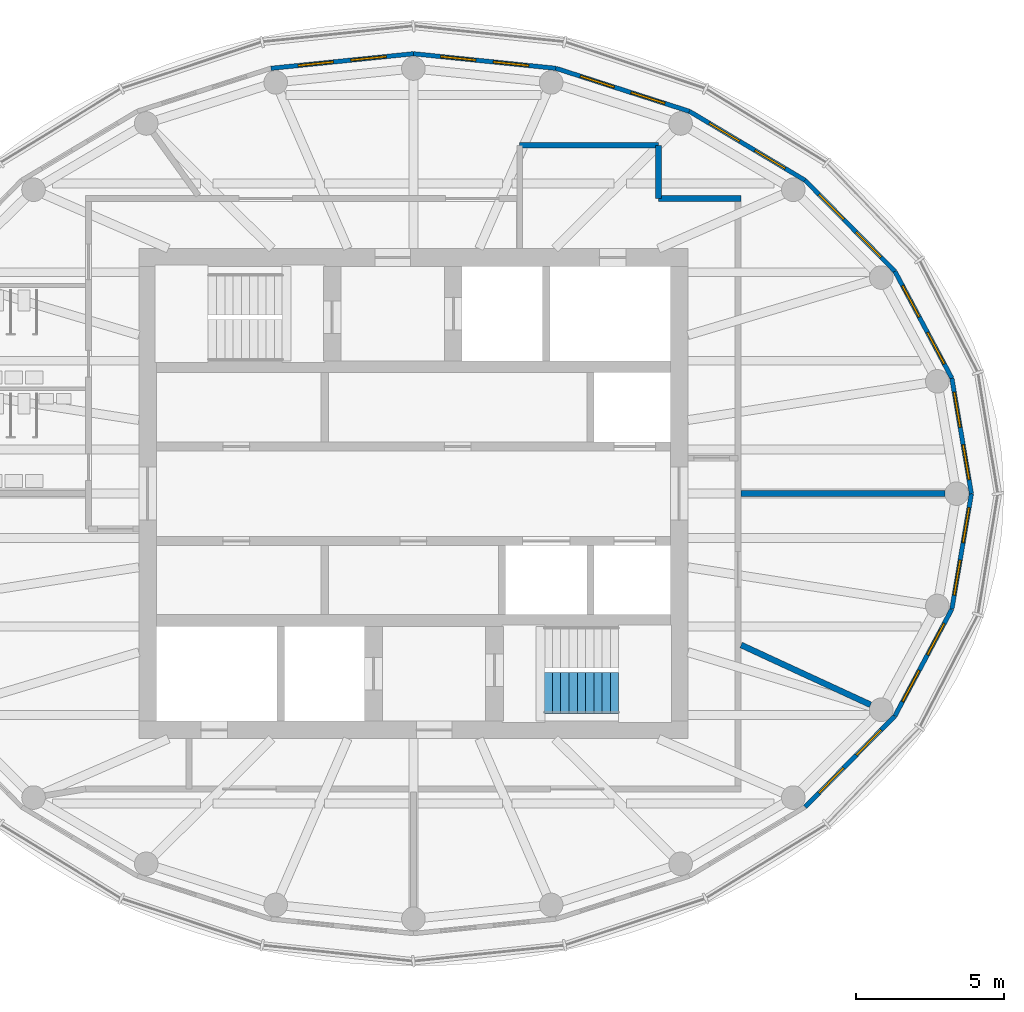
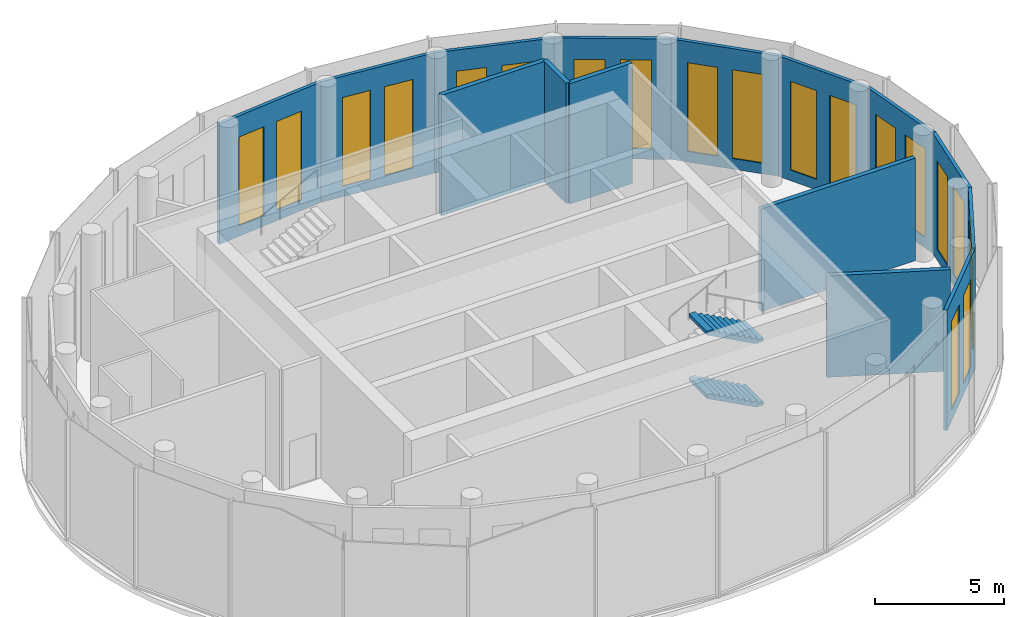
# One storey, part 7 of 11: 20 windows, 15 walls, 2 stair flights, 20 openings, 1 element without a shape of its own.
"""IFC4 building model written with IfcOpenShell, lengths in metres."""

from ifc_helpers import new_model, si_unit, direction, frame, frame_2d, origin, place, context, subcontext, project, spatial, polyline, rectangle, outline, extrude, material, layer, layer_set, type_object, element, fill, aggregate, save


model = new_model("IFC4")

# Units and contexts
model_context = context("Model", 3, precision=1e-05, world=origin(), true_north=direction((0.0, 1.0)))
body_context = subcontext(model_context, "Body", "Model", "MODEL_VIEW")
ifc_project = project(units=[si_unit("LENGTHUNIT", "METRE"), si_unit("AREAUNIT", "SQUARE_METRE"), si_unit("VOLUMEUNIT", "CUBIC_METRE"), si_unit("PLANEANGLEUNIT", "RADIAN"), si_unit("MASSUNIT", "GRAM", prefix="KILO")], contexts=[model_context])

# Site, building, storey
site_placement = place(None, origin())
site = spatial("IfcSite", under=ifc_project, at=site_placement, CompositionType="ELEMENT")
building_placement = place(site_placement, origin())
building = spatial("IfcBuilding", under=site, at=building_placement, Name="Hankou Lantern Tower", CompositionType="ELEMENT")
storey_placement = place(building_placement, frame((0.0, 0.0, 242.699951171875)))
storey = spatial("IfcBuildingStorey", under=building, at=storey_placement, Name="L65", CompositionType="ELEMENT", Elevation=242.699951171875)

# Wall, openings, windows
ifc_material_1 = material(Name="Aluminium spandrel panel on steel studs", Category="steel")
ifc_layer_1 = layer(ifc_material_1, 0.14990234375)
ifc_layer_set_1 = layer_set([ifc_layer_1], Name="Aluminium spandrel panel on steel studs")
wall_type_1 = type_object("IfcWallType", Name="EW1 INNER SKIN WALL 150", PredefinedType="ELEMENTEDWALL", material=ifc_layer_set_1)
wall_1_placement = place(storey_placement, frame((18.89990234375, 0.0, 0.0), z_axis=(0.0, 0.0, 1.0), x_axis=(-0.166984464914, 0.985959526795, 0.0)))
wall_1 = element("IfcWall", 1, at=wall_1_placement, inside=storey, type_object=wall_type_1, Name="Inner skin R01-R02 L65", PredefinedType="ELEMENTEDWALL", context=body_context, shape_type="SweptSolid", body=[
    extrude(rectangle(XDim=3.965087890625, YDim=0.14990234375, at=frame_2d((1.982421875, 0.0))), origin(), (0.0, 0.0, 1.0), 5.699951171875),
])
opening_1_placement = place(wall_1_placement, frame((0.482666015625, 0.0, 0.5)))
opening_1 = element("IfcOpeningElement", 2, at=opening_1_placement, cuts=wall_1, Name="Opening W8", PredefinedType="OPENING", context=body_context, shape_type="SweptSolid", body=[
    extrude(rectangle(XDim=1.199951171875, YDim=4.199951171875, at=frame_2d((0.60009765625, 2.10009765625))), frame((0.0, 0.0849609375, 0.0), z_axis=(0.0, -1.0, 0.0), x_axis=(1.0, 0.0, 0.0)), (0.0, 0.0, 1.0), 0.169921875),
])
opening_2_placement = place(wall_1_placement, frame((2.282470703125, 0.0, 0.5)))
opening_2 = element("IfcOpeningElement", 3, at=opening_2_placement, cuts=wall_1, Name="Opening W8", PredefinedType="OPENING", context=body_context, shape_type="SweptSolid", body=[
    extrude(rectangle(XDim=1.199951171875, YDim=4.199951171875, at=frame_2d((0.60009765625, 2.10009765625))), frame((0.0, 0.0849609375, 0.0), z_axis=(0.0, -1.0, 0.0), x_axis=(1.0, 0.0, 0.0)), (0.0, 0.0, 1.0), 0.169921875),
])
ifc_material_2 = material(Name="Aluminium framed double glazed window", Category="aluminium")
window_type = type_object("IfcWindowType", Name="W8 OBSERVATION WINDOW 1200X4200", PartitioningType="DOUBLE_PANEL_VERTICAL", PredefinedType="WINDOW", material=ifc_material_2)
window_1_placement = place(opening_1_placement, origin())
window_1 = element("IfcWindow", 4, at=window_1_placement, inside=storey, type_object=window_type, Name="Window R01.1 L65", OverallHeight=4.199951171875, OverallWidth=1.199951171875, PartitioningType="SINGLE_PANEL", PredefinedType="WINDOW", context=body_context, shape_type="SweptSolid", body=[
    extrude(rectangle(XDim=1.199951171875, YDim=4.199951171875, at=frame_2d((0.60009765625, 2.10009765625))), frame((0.0, 0.030029296875, 0.0), z_axis=(0.0, -1.0, 0.0), x_axis=(1.0, 0.0, 0.0)), (0.0, 0.0, 1.0), 0.06005859375),
])
fill(opening_1, window_1)
window_2_placement = place(opening_2_placement, origin())
window_2 = element("IfcWindow", 5, at=window_2_placement, inside=storey, type_object=window_type, Name="Window R01.2 L65", OverallHeight=4.199951171875, OverallWidth=1.199951171875, PartitioningType="SINGLE_PANEL", PredefinedType="WINDOW", context=body_context, shape_type="SweptSolid", body=[
    extrude(rectangle(XDim=1.199951171875, YDim=4.199951171875, at=frame_2d((0.60009765625, 2.10009765625))), frame((0.0, 0.030029296875, 0.0), z_axis=(0.0, -1.0, 0.0), x_axis=(1.0, 0.0, 0.0)), (0.0, 0.0, 1.0), 0.06005859375),
])
fill(opening_2, window_2)

wall_2_placement = place(storey_placement, frame((18.23779296875, 3.909423828125, 0.0), z_axis=(0.0, 0.0, 1.0), x_axis=(-0.470282591286, 0.882515883332, 0.0)))
wall_2 = element("IfcWall", 6, at=wall_2_placement, inside=storey, type_object=wall_type_1, Name="Inner skin R02-R03 L65", PredefinedType="ELEMENTEDWALL", context=body_context, shape_type="SweptSolid", body=[
    extrude(rectangle(XDim=4.104736328125, YDim=0.14990234375, at=frame_2d((2.05224609375, 0.0))), origin(), (0.0, 0.0, 1.0), 5.699951171875),
])
opening_3_placement = place(wall_2_placement, frame((0.552490234375, 0.0, 0.5)))
opening_3 = element("IfcOpeningElement", 7, at=opening_3_placement, cuts=wall_2, Name="Opening W8", PredefinedType="OPENING", context=body_context, shape_type="SweptSolid", body=[
    extrude(rectangle(XDim=1.199951171875, YDim=4.199951171875, at=frame_2d((0.60009765625, 2.10009765625))), frame((0.0, 0.0849609375, 0.0), z_axis=(0.0, -1.0, 0.0), x_axis=(1.0, 0.0, 0.0)), (0.0, 0.0, 1.0), 0.169921875),
])
opening_4_placement = place(wall_2_placement, frame((2.3525390625, 0.0, 0.5)))
opening_4 = element("IfcOpeningElement", 8, at=opening_4_placement, cuts=wall_2, Name="Opening W8", PredefinedType="OPENING", context=body_context, shape_type="SweptSolid", body=[
    extrude(rectangle(XDim=1.199951171875, YDim=4.199951171875, at=frame_2d((0.60009765625, 2.10009765625))), frame((0.0, 0.0849609375, 0.0), z_axis=(0.0, -1.0, 0.0), x_axis=(1.0, 0.0, 0.0)), (0.0, 0.0, 1.0), 0.169921875),
])
window_3_placement = place(opening_3_placement, origin())
window_3 = element("IfcWindow", 9, at=window_3_placement, inside=storey, type_object=window_type, Name="Window R02.1 L65", OverallHeight=4.199951171875, OverallWidth=1.199951171875, PartitioningType="SINGLE_PANEL", PredefinedType="WINDOW", context=body_context, shape_type="SweptSolid", body=[
    extrude(rectangle(XDim=1.199951171875, YDim=4.199951171875, at=frame_2d((0.60009765625, 2.10009765625))), frame((0.0, 0.030029296875, 0.0), z_axis=(0.0, -1.0, 0.0), x_axis=(1.0, 0.0, 0.0)), (0.0, 0.0, 1.0), 0.06005859375),
])
fill(opening_3, window_3)
window_4_placement = place(opening_4_placement, origin())
window_4 = element("IfcWindow", 10, at=window_4_placement, inside=storey, type_object=window_type, Name="Window R02.2 L65", OverallHeight=4.199951171875, OverallWidth=1.199951171875, PartitioningType="SINGLE_PANEL", PredefinedType="WINDOW", context=body_context, shape_type="SweptSolid", body=[
    extrude(rectangle(XDim=1.199951171875, YDim=4.199951171875, at=frame_2d((0.60009765625, 2.10009765625))), frame((0.0, 0.030029296875, 0.0), z_axis=(0.0, -1.0, 0.0), x_axis=(1.0, 0.0, 0.0)), (0.0, 0.0, 1.0), 0.06005859375),
])
fill(opening_4, window_4)

wall_3_placement = place(storey_placement, frame((16.307373046875, 7.531982421875, 0.0), z_axis=(0.0, 0.0, 1.0), x_axis=(-0.702523956258, 0.711660095048, 0.0)))
wall_3 = element("IfcWall", 11, at=wall_3_placement, inside=storey, type_object=wall_type_1, Name="Inner skin R03-R04 L65", PredefinedType="ELEMENTEDWALL", context=body_context, shape_type="SweptSolid", body=[
    extrude(rectangle(XDim=4.3291015625, YDim=0.14990234375, at=frame_2d((2.16455078125, 0.0))), origin(), (0.0, 0.0, 1.0), 5.699951171875),
])
opening_5_placement = place(wall_3_placement, frame((0.66455078125, 0.0, 0.5)))
opening_5 = element("IfcOpeningElement", 12, at=opening_5_placement, cuts=wall_3, Name="Opening W8", PredefinedType="OPENING", context=body_context, shape_type="SweptSolid", body=[
    extrude(rectangle(XDim=1.199951171875, YDim=4.199951171875, at=frame_2d((0.60009765625, 2.10009765625))), frame((0.0, 0.0849609375, 0.0), z_axis=(0.0, -1.0, 0.0), x_axis=(1.0, 0.0, 0.0)), (0.0, 0.0, 1.0), 0.169921875),
])
opening_6_placement = place(wall_3_placement, frame((2.464599609375, 0.0, 0.5)))
opening_6 = element("IfcOpeningElement", 13, at=opening_6_placement, cuts=wall_3, Name="Opening W8", PredefinedType="OPENING", context=body_context, shape_type="SweptSolid", body=[
    extrude(rectangle(XDim=1.199951171875, YDim=4.199951171875, at=frame_2d((0.60009765625, 2.10009765625))), frame((0.0, 0.0849609375, 0.0), z_axis=(0.0, -1.0, 0.0), x_axis=(1.0, 0.0, 0.0)), (0.0, 0.0, 1.0), 0.169921875),
])
window_5_placement = place(opening_5_placement, origin())
window_5 = element("IfcWindow", 14, at=window_5_placement, inside=storey, type_object=window_type, Name="Window R03.1 L65", OverallHeight=4.199951171875, OverallWidth=1.199951171875, PartitioningType="SINGLE_PANEL", PredefinedType="WINDOW", context=body_context, shape_type="SweptSolid", body=[
    extrude(rectangle(XDim=1.199951171875, YDim=4.199951171875, at=frame_2d((0.60009765625, 2.10009765625))), frame((0.0, 0.030029296875, 0.0), z_axis=(0.0, -1.0, 0.0), x_axis=(1.0, 0.0, 0.0)), (0.0, 0.0, 1.0), 0.06005859375),
])
fill(opening_5, window_5)
window_6_placement = place(opening_6_placement, origin())
window_6 = element("IfcWindow", 15, at=window_6_placement, inside=storey, type_object=window_type, Name="Window R03.2 L65", OverallHeight=4.199951171875, OverallWidth=1.199951171875, PartitioningType="SINGLE_PANEL", PredefinedType="WINDOW", context=body_context, shape_type="SweptSolid", body=[
    extrude(rectangle(XDim=1.199951171875, YDim=4.199951171875, at=frame_2d((0.60009765625, 2.10009765625))), frame((0.0, 0.030029296875, 0.0), z_axis=(0.0, -1.0, 0.0), x_axis=(1.0, 0.0, 0.0)), (0.0, 0.0, 1.0), 0.06005859375),
])
fill(opening_6, window_6)

wall_4_placement = place(storey_placement, frame((13.26611328125, 10.61279296875, 0.0), z_axis=(0.0, 0.0, 1.0), x_axis=(-0.858849230109, 0.512228464594, 0.0)))
wall_4 = element("IfcWall", 16, at=wall_4_placement, inside=storey, type_object=wall_type_1, Name="Inner skin R04-R05 L65", PredefinedType="ELEMENTEDWALL", context=body_context, shape_type="SweptSolid", body=[
    extrude(rectangle(XDim=4.564208984375, YDim=0.14990234375, at=frame_2d((2.2822265625, 0.0))), origin(), (0.0, 0.0, 1.0), 5.699951171875),
])
opening_7_placement = place(wall_4_placement, frame((0.781982421875, 0.0, 0.5)))
opening_7 = element("IfcOpeningElement", 17, at=opening_7_placement, cuts=wall_4, Name="Opening W8", PredefinedType="OPENING", context=body_context, shape_type="SweptSolid", body=[
    extrude(rectangle(XDim=1.199951171875, YDim=4.199951171875, at=frame_2d((0.60009765625, 2.10009765625))), frame((0.0, 0.0849609375, 0.0), z_axis=(0.0, -1.0, 0.0), x_axis=(1.0, 0.0, 0.0)), (0.0, 0.0, 1.0), 0.169921875),
])
opening_8_placement = place(wall_4_placement, frame((2.58203125, 0.0, 0.5)))
opening_8 = element("IfcOpeningElement", 18, at=opening_8_placement, cuts=wall_4, Name="Opening W8", PredefinedType="OPENING", context=body_context, shape_type="SweptSolid", body=[
    extrude(rectangle(XDim=1.199951171875, YDim=4.199951171875, at=frame_2d((0.60009765625, 2.10009765625))), frame((0.0, 0.0849609375, 0.0), z_axis=(0.0, -1.0, 0.0), x_axis=(1.0, 0.0, 0.0)), (0.0, 0.0, 1.0), 0.169921875),
])
window_7_placement = place(opening_7_placement, origin())
window_7 = element("IfcWindow", 19, at=window_7_placement, inside=storey, type_object=window_type, Name="Window R04.1 L65", OverallHeight=4.199951171875, OverallWidth=1.199951171875, PartitioningType="SINGLE_PANEL", PredefinedType="WINDOW", context=body_context, shape_type="SweptSolid", body=[
    extrude(rectangle(XDim=1.199951171875, YDim=4.199951171875, at=frame_2d((0.60009765625, 2.10009765625))), frame((0.0, 0.030029296875, 0.0), z_axis=(0.0, -1.0, 0.0), x_axis=(1.0, 0.0, 0.0)), (0.0, 0.0, 1.0), 0.06005859375),
])
fill(opening_7, window_7)
window_8_placement = place(opening_8_placement, origin())
window_8 = element("IfcWindow", 20, at=window_8_placement, inside=storey, type_object=window_type, Name="Window R04.2 L65", OverallHeight=4.199951171875, OverallWidth=1.199951171875, PartitioningType="SINGLE_PANEL", PredefinedType="WINDOW", context=body_context, shape_type="SweptSolid", body=[
    extrude(rectangle(XDim=1.199951171875, YDim=4.199951171875, at=frame_2d((0.60009765625, 2.10009765625))), frame((0.0, 0.030029296875, 0.0), z_axis=(0.0, -1.0, 0.0), x_axis=(1.0, 0.0, 0.0)), (0.0, 0.0, 1.0), 0.06005859375),
])
fill(opening_8, window_8)

wall_5_placement = place(storey_placement, frame((9.34619140625, 12.95068359375, 0.0), z_axis=(0.0, 0.0, 1.0), x_axis=(-0.951881908824, 0.306465057804, 0.0)))
wall_5 = element("IfcWall", 21, at=wall_5_placement, inside=storey, type_object=wall_type_1, Name="Inner skin R05-R06 L65", PredefinedType="ELEMENTEDWALL", context=body_context, shape_type="SweptSolid", body=[
    extrude(rectangle(XDim=4.74951171875, YDim=0.14990234375, at=frame_2d((2.374755859375, 0.0))), origin(), (0.0, 0.0, 1.0), 5.699951171875),
])
opening_9_placement = place(wall_5_placement, frame((0.874755859375, 0.0, 0.5)))
opening_9 = element("IfcOpeningElement", 22, at=opening_9_placement, cuts=wall_5, Name="Opening W8", PredefinedType="OPENING", context=body_context, shape_type="SweptSolid", body=[
    extrude(rectangle(XDim=1.199951171875, YDim=4.199951171875, at=frame_2d((0.60009765625, 2.10009765625))), frame((0.0, 0.0849609375, 0.0), z_axis=(0.0, -1.0, 0.0), x_axis=(1.0, 0.0, 0.0)), (0.0, 0.0, 1.0), 0.169921875),
])
opening_10_placement = place(wall_5_placement, frame((2.6748046875, 0.0, 0.5)))
opening_10 = element("IfcOpeningElement", 23, at=opening_10_placement, cuts=wall_5, Name="Opening W8", PredefinedType="OPENING", context=body_context, shape_type="SweptSolid", body=[
    extrude(rectangle(XDim=1.199951171875, YDim=4.199951171875, at=frame_2d((0.60009765625, 2.10009765625))), frame((0.0, 0.0849609375, 0.0), z_axis=(0.0, -1.0, 0.0), x_axis=(1.0, 0.0, 0.0)), (0.0, 0.0, 1.0), 0.169921875),
])
window_9_placement = place(opening_9_placement, origin())
window_9 = element("IfcWindow", 24, at=window_9_placement, inside=storey, type_object=window_type, Name="Window R05.1 L65", OverallHeight=4.199951171875, OverallWidth=1.199951171875, PartitioningType="SINGLE_PANEL", PredefinedType="WINDOW", context=body_context, shape_type="SweptSolid", body=[
    extrude(rectangle(XDim=1.199951171875, YDim=4.199951171875, at=frame_2d((0.60009765625, 2.10009765625))), frame((0.0, 0.030029296875, 0.0), z_axis=(0.0, -1.0, 0.0), x_axis=(1.0, 0.0, 0.0)), (0.0, 0.0, 1.0), 0.06005859375),
])
fill(opening_9, window_9)
window_10_placement = place(opening_10_placement, origin())
window_10 = element("IfcWindow", 25, at=window_10_placement, inside=storey, type_object=window_type, Name="Window R05.2 L65", OverallHeight=4.199951171875, OverallWidth=1.199951171875, PartitioningType="SINGLE_PANEL", PredefinedType="WINDOW", context=body_context, shape_type="SweptSolid", body=[
    extrude(rectangle(XDim=1.199951171875, YDim=4.199951171875, at=frame_2d((0.60009765625, 2.10009765625))), frame((0.0, 0.030029296875, 0.0), z_axis=(0.0, -1.0, 0.0), x_axis=(1.0, 0.0, 0.0)), (0.0, 0.0, 1.0), 0.06005859375),
])
fill(opening_10, window_10)

wall_6_placement = place(storey_placement, frame((4.8251953125, 14.40625, 0.0), z_axis=(0.0, 0.0, 1.0), x_axis=(-0.994807343212, 0.10177597895, 0.0)))
wall_6 = element("IfcWall", 26, at=wall_6_placement, inside=storey, type_object=wall_type_1, Name="Inner skin R06-R07 L65", PredefinedType="ELEMENTEDWALL", context=body_context, shape_type="SweptSolid", body=[
    extrude(rectangle(XDim=4.850341796875, YDim=0.14990234375, at=frame_2d((2.42529296875, 0.0))), origin(), (0.0, 0.0, 1.0), 5.699951171875),
])
opening_11_placement = place(wall_6_placement, frame((0.92529296875, 0.0, 0.5)))
opening_11 = element("IfcOpeningElement", 27, at=opening_11_placement, cuts=wall_6, Name="Opening W8", PredefinedType="OPENING", context=body_context, shape_type="SweptSolid", body=[
    extrude(rectangle(XDim=1.199951171875, YDim=4.199951171875, at=frame_2d((0.60009765625, 2.10009765625))), frame((0.0, 0.0849609375, 0.0), z_axis=(0.0, -1.0, 0.0), x_axis=(1.0, 0.0, 0.0)), (0.0, 0.0, 1.0), 0.169921875),
])
opening_12_placement = place(wall_6_placement, frame((2.72509765625, 0.0, 0.5)))
opening_12 = element("IfcOpeningElement", 28, at=opening_12_placement, cuts=wall_6, Name="Opening W8", PredefinedType="OPENING", context=body_context, shape_type="SweptSolid", body=[
    extrude(rectangle(XDim=1.199951171875, YDim=4.199951171875, at=frame_2d((0.60009765625, 2.10009765625))), frame((0.0, 0.0849609375, 0.0), z_axis=(0.0, -1.0, 0.0), x_axis=(1.0, 0.0, 0.0)), (0.0, 0.0, 1.0), 0.169921875),
])
window_11_placement = place(opening_11_placement, origin())
window_11 = element("IfcWindow", 29, at=window_11_placement, inside=storey, type_object=window_type, Name="Window R06.1 L65", OverallHeight=4.199951171875, OverallWidth=1.199951171875, PartitioningType="SINGLE_PANEL", PredefinedType="WINDOW", context=body_context, shape_type="SweptSolid", body=[
    extrude(rectangle(XDim=1.199951171875, YDim=4.199951171875, at=frame_2d((0.60009765625, 2.10009765625))), frame((0.0, 0.030029296875, 0.0), z_axis=(0.0, -1.0, 0.0), x_axis=(1.0, 0.0, 0.0)), (0.0, 0.0, 1.0), 0.06005859375),
])
fill(opening_11, window_11)
window_12_placement = place(opening_12_placement, origin())
window_12 = element("IfcWindow", 30, at=window_12_placement, inside=storey, type_object=window_type, Name="Window R06.2 L65", OverallHeight=4.199951171875, OverallWidth=1.199951171875, PartitioningType="SINGLE_PANEL", PredefinedType="WINDOW", context=body_context, shape_type="SweptSolid", body=[
    extrude(rectangle(XDim=1.199951171875, YDim=4.199951171875, at=frame_2d((0.60009765625, 2.10009765625))), frame((0.0, 0.030029296875, 0.0), z_axis=(0.0, -1.0, 0.0), x_axis=(1.0, 0.0, 0.0)), (0.0, 0.0, 1.0), 0.06005859375),
])
fill(opening_12, window_12)

wall_7_placement = place(storey_placement, frame((0.0, 14.89990234375, 0.0), z_axis=(0.0, 0.0, 1.0), x_axis=(-0.994807343212, -0.10177597895, 0.0)))
wall_7 = element("IfcWall", 31, at=wall_7_placement, inside=storey, type_object=wall_type_1, Name="Inner skin R07-R08 L65", PredefinedType="ELEMENTEDWALL", context=body_context, shape_type="SweptSolid", body=[
    extrude(rectangle(XDim=4.850341796875, YDim=0.14990234375, at=frame_2d((2.42529296875, 0.0))), origin(), (0.0, 0.0, 1.0), 5.699951171875),
])
opening_13_placement = place(wall_7_placement, frame((0.92529296875, 0.0, 0.5)))
opening_13 = element("IfcOpeningElement", 32, at=opening_13_placement, cuts=wall_7, Name="Opening W8", PredefinedType="OPENING", context=body_context, shape_type="SweptSolid", body=[
    extrude(rectangle(XDim=1.199951171875, YDim=4.199951171875, at=frame_2d((0.60009765625, 2.10009765625))), frame((0.0, 0.0849609375, 0.0), z_axis=(0.0, -1.0, 0.0), x_axis=(1.0, 0.0, 0.0)), (0.0, 0.0, 1.0), 0.169921875),
])
opening_14_placement = place(wall_7_placement, frame((2.72509765625, 0.0, 0.5)))
opening_14 = element("IfcOpeningElement", 33, at=opening_14_placement, cuts=wall_7, Name="Opening W8", PredefinedType="OPENING", context=body_context, shape_type="SweptSolid", body=[
    extrude(rectangle(XDim=1.199951171875, YDim=4.199951171875, at=frame_2d((0.60009765625, 2.10009765625))), frame((0.0, 0.0849609375, 0.0), z_axis=(0.0, -1.0, 0.0), x_axis=(1.0, 0.0, 0.0)), (0.0, 0.0, 1.0), 0.169921875),
])
window_13_placement = place(opening_13_placement, origin())
window_13 = element("IfcWindow", 34, at=window_13_placement, inside=storey, type_object=window_type, Name="Window R07.1 L65", OverallHeight=4.199951171875, OverallWidth=1.199951171875, PartitioningType="SINGLE_PANEL", PredefinedType="WINDOW", context=body_context, shape_type="SweptSolid", body=[
    extrude(rectangle(XDim=1.199951171875, YDim=4.199951171875, at=frame_2d((0.60009765625, 2.10009765625))), frame((0.0, 0.030029296875, 0.0), z_axis=(0.0, -1.0, 0.0), x_axis=(1.0, 0.0, 0.0)), (0.0, 0.0, 1.0), 0.06005859375),
])
fill(opening_13, window_13)
window_14_placement = place(opening_14_placement, origin())
window_14 = element("IfcWindow", 35, at=window_14_placement, inside=storey, type_object=window_type, Name="Window R07.2 L65", OverallHeight=4.199951171875, OverallWidth=1.199951171875, PartitioningType="SINGLE_PANEL", PredefinedType="WINDOW", context=body_context, shape_type="SweptSolid", body=[
    extrude(rectangle(XDim=1.199951171875, YDim=4.199951171875, at=frame_2d((0.60009765625, 2.10009765625))), frame((0.0, 0.030029296875, 0.0), z_axis=(0.0, -1.0, 0.0), x_axis=(1.0, 0.0, 0.0)), (0.0, 0.0, 1.0), 0.06005859375),
])
fill(opening_14, window_14)

wall_8_placement = place(storey_placement, frame((13.26611328125, -10.61279296875, 0.0), z_axis=(0.0, 0.0, 1.0), x_axis=(0.702523956258, 0.711660095048, 0.0)))
wall_8 = element("IfcWall", 36, at=wall_8_placement, inside=storey, type_object=wall_type_1, Name="Inner skin R22-R23 L65", PredefinedType="ELEMENTEDWALL", context=body_context, shape_type="SweptSolid", body=[
    extrude(rectangle(XDim=4.3291015625, YDim=0.14990234375, at=frame_2d((2.16455078125, 0.0))), origin(), (0.0, 0.0, 1.0), 5.699951171875),
])
opening_15_placement = place(wall_8_placement, frame((0.66455078125, 0.0, 0.5)))
opening_15 = element("IfcOpeningElement", 37, at=opening_15_placement, cuts=wall_8, Name="Opening W8", PredefinedType="OPENING", context=body_context, shape_type="SweptSolid", body=[
    extrude(rectangle(XDim=1.199951171875, YDim=4.199951171875, at=frame_2d((0.60009765625, 2.10009765625))), frame((0.0, 0.0849609375, 0.0), z_axis=(0.0, -1.0, 0.0), x_axis=(1.0, 0.0, 0.0)), (0.0, 0.0, 1.0), 0.169921875),
])
opening_16_placement = place(wall_8_placement, frame((2.464599609375, 0.0, 0.5)))
opening_16 = element("IfcOpeningElement", 38, at=opening_16_placement, cuts=wall_8, Name="Opening W8", PredefinedType="OPENING", context=body_context, shape_type="SweptSolid", body=[
    extrude(rectangle(XDim=1.199951171875, YDim=4.199951171875, at=frame_2d((0.60009765625, 2.10009765625))), frame((0.0, 0.0849609375, 0.0), z_axis=(0.0, -1.0, 0.0), x_axis=(1.0, 0.0, 0.0)), (0.0, 0.0, 1.0), 0.169921875),
])
window_15_placement = place(opening_15_placement, origin())
window_15 = element("IfcWindow", 39, at=window_15_placement, inside=storey, type_object=window_type, Name="Window R22.1 L65", OverallHeight=4.199951171875, OverallWidth=1.199951171875, PartitioningType="SINGLE_PANEL", PredefinedType="WINDOW", context=body_context, shape_type="SweptSolid", body=[
    extrude(rectangle(XDim=1.199951171875, YDim=4.199951171875, at=frame_2d((0.60009765625, 2.10009765625))), frame((0.0, 0.030029296875, 0.0), z_axis=(0.0, -1.0, 0.0), x_axis=(1.0, 0.0, 0.0)), (0.0, 0.0, 1.0), 0.06005859375),
])
fill(opening_15, window_15)
window_16_placement = place(opening_16_placement, origin())
window_16 = element("IfcWindow", 40, at=window_16_placement, inside=storey, type_object=window_type, Name="Window R22.2 L65", OverallHeight=4.199951171875, OverallWidth=1.199951171875, PartitioningType="SINGLE_PANEL", PredefinedType="WINDOW", context=body_context, shape_type="SweptSolid", body=[
    extrude(rectangle(XDim=1.199951171875, YDim=4.199951171875, at=frame_2d((0.60009765625, 2.10009765625))), frame((0.0, 0.030029296875, 0.0), z_axis=(0.0, -1.0, 0.0), x_axis=(1.0, 0.0, 0.0)), (0.0, 0.0, 1.0), 0.06005859375),
])
fill(opening_16, window_16)

wall_9_placement = place(storey_placement, frame((16.307373046875, -7.531982421875, 0.0), z_axis=(0.0, 0.0, 1.0), x_axis=(0.470282591286, 0.882515883332, 0.0)))
wall_9 = element("IfcWall", 41, at=wall_9_placement, inside=storey, type_object=wall_type_1, Name="Inner skin R23-R24 L65", PredefinedType="ELEMENTEDWALL", context=body_context, shape_type="SweptSolid", body=[
    extrude(rectangle(XDim=4.104736328125, YDim=0.14990234375, at=frame_2d((2.05224609375, 0.0))), origin(), (0.0, 0.0, 1.0), 5.699951171875),
])
opening_17_placement = place(wall_9_placement, frame((0.552490234375, 0.0, 0.5)))
opening_17 = element("IfcOpeningElement", 42, at=opening_17_placement, cuts=wall_9, Name="Opening W8", PredefinedType="OPENING", context=body_context, shape_type="SweptSolid", body=[
    extrude(rectangle(XDim=1.199951171875, YDim=4.199951171875, at=frame_2d((0.60009765625, 2.10009765625))), frame((0.0, 0.0849609375, 0.0), z_axis=(0.0, -1.0, 0.0), x_axis=(1.0, 0.0, 0.0)), (0.0, 0.0, 1.0), 0.169921875),
])
opening_18_placement = place(wall_9_placement, frame((2.3525390625, 0.0, 0.5)))
opening_18 = element("IfcOpeningElement", 43, at=opening_18_placement, cuts=wall_9, Name="Opening W8", PredefinedType="OPENING", context=body_context, shape_type="SweptSolid", body=[
    extrude(rectangle(XDim=1.199951171875, YDim=4.199951171875, at=frame_2d((0.60009765625, 2.10009765625))), frame((0.0, 0.0849609375, 0.0), z_axis=(0.0, -1.0, 0.0), x_axis=(1.0, 0.0, 0.0)), (0.0, 0.0, 1.0), 0.169921875),
])
window_17_placement = place(opening_17_placement, origin())
window_17 = element("IfcWindow", 44, at=window_17_placement, inside=storey, type_object=window_type, Name="Window R23.1 L65", OverallHeight=4.199951171875, OverallWidth=1.199951171875, PartitioningType="SINGLE_PANEL", PredefinedType="WINDOW", context=body_context, shape_type="SweptSolid", body=[
    extrude(rectangle(XDim=1.199951171875, YDim=4.199951171875, at=frame_2d((0.60009765625, 2.10009765625))), frame((0.0, 0.030029296875, 0.0), z_axis=(0.0, -1.0, 0.0), x_axis=(1.0, 0.0, 0.0)), (0.0, 0.0, 1.0), 0.06005859375),
])
fill(opening_17, window_17)
window_18_placement = place(opening_18_placement, origin())
window_18 = element("IfcWindow", 45, at=window_18_placement, inside=storey, type_object=window_type, Name="Window R23.2 L65", OverallHeight=4.199951171875, OverallWidth=1.199951171875, PartitioningType="SINGLE_PANEL", PredefinedType="WINDOW", context=body_context, shape_type="SweptSolid", body=[
    extrude(rectangle(XDim=1.199951171875, YDim=4.199951171875, at=frame_2d((0.60009765625, 2.10009765625))), frame((0.0, 0.030029296875, 0.0), z_axis=(0.0, -1.0, 0.0), x_axis=(1.0, 0.0, 0.0)), (0.0, 0.0, 1.0), 0.06005859375),
])
fill(opening_18, window_18)

wall_10_placement = place(storey_placement, frame((18.23779296875, -3.909423828125, 0.0), z_axis=(0.0, 0.0, 1.0), x_axis=(0.166984464914, 0.985959526795, 0.0)))
wall_10 = element("IfcWall", 46, at=wall_10_placement, inside=storey, type_object=wall_type_1, Name="Inner skin R24-R01 L65", PredefinedType="ELEMENTEDWALL", context=body_context, shape_type="SweptSolid", body=[
    extrude(rectangle(XDim=3.965087890625, YDim=0.14990234375, at=frame_2d((1.982421875, 0.0))), origin(), (0.0, 0.0, 1.0), 5.699951171875),
])
opening_19_placement = place(wall_10_placement, frame((0.482666015625, 0.0, 0.5)))
opening_19 = element("IfcOpeningElement", 47, at=opening_19_placement, cuts=wall_10, Name="Opening W8", PredefinedType="OPENING", context=body_context, shape_type="SweptSolid", body=[
    extrude(rectangle(XDim=1.199951171875, YDim=4.199951171875, at=frame_2d((0.60009765625, 2.10009765625))), frame((0.0, 0.0849609375, 0.0), z_axis=(0.0, -1.0, 0.0), x_axis=(1.0, 0.0, 0.0)), (0.0, 0.0, 1.0), 0.169921875),
])
opening_20_placement = place(wall_10_placement, frame((2.282470703125, 0.0, 0.5)))
opening_20 = element("IfcOpeningElement", 48, at=opening_20_placement, cuts=wall_10, Name="Opening W8", PredefinedType="OPENING", context=body_context, shape_type="SweptSolid", body=[
    extrude(rectangle(XDim=1.199951171875, YDim=4.199951171875, at=frame_2d((0.60009765625, 2.10009765625))), frame((0.0, 0.0849609375, 0.0), z_axis=(0.0, -1.0, 0.0), x_axis=(1.0, 0.0, 0.0)), (0.0, 0.0, 1.0), 0.169921875),
])
window_19_placement = place(opening_19_placement, origin())
window_19 = element("IfcWindow", 49, at=window_19_placement, inside=storey, type_object=window_type, Name="Window R24.1 L65", OverallHeight=4.199951171875, OverallWidth=1.199951171875, PartitioningType="SINGLE_PANEL", PredefinedType="WINDOW", context=body_context, shape_type="SweptSolid", body=[
    extrude(rectangle(XDim=1.199951171875, YDim=4.199951171875, at=frame_2d((0.60009765625, 2.10009765625))), frame((0.0, 0.030029296875, 0.0), z_axis=(0.0, -1.0, 0.0), x_axis=(1.0, 0.0, 0.0)), (0.0, 0.0, 1.0), 0.06005859375),
])
fill(opening_19, window_19)
window_20_placement = place(opening_20_placement, origin())
window_20 = element("IfcWindow", 50, at=window_20_placement, inside=storey, type_object=window_type, Name="Window R24.2 L65", OverallHeight=4.199951171875, OverallWidth=1.199951171875, PartitioningType="SINGLE_PANEL", PredefinedType="WINDOW", context=body_context, shape_type="SweptSolid", body=[
    extrude(rectangle(XDim=1.199951171875, YDim=4.199951171875, at=frame_2d((0.60009765625, 2.10009765625))), frame((0.0, 0.030029296875, 0.0), z_axis=(0.0, -1.0, 0.0), x_axis=(1.0, 0.0, 0.0)), (0.0, 0.0, 1.0), 0.06005859375),
])
fill(opening_20, window_20)

# Walls
ifc_material_3 = material(Name="Masonry lightweight concrete block", Category="masonry")
ifc_layer_2 = layer(ifc_material_3, 0.199951171875)
ifc_layer_set_2 = layer_set([ifc_layer_2], Name="Masonry lightweight concrete block")
wall_type_2 = type_object("IfcWallType", Name="IW2 CORRIDOR WALL 200", PredefinedType="PARTITIONING", material=ifc_layer_set_2)
wall_11_placement = place(storey_placement, frame((8.300048828125, 10.0, 0.0), z_axis=(0.0, 0.0, 1.0), x_axis=(1.0, 0.0, 0.0)))
element("IfcWall", 51, at=wall_11_placement, inside=storey, type_object=wall_type_2, Name="Corridor wall north", PredefinedType="PARTITIONING", context=body_context, shape_type="SweptSolid", body=[
    extrude(rectangle(XDim=2.800048828125, YDim=0.199951171875, at=frame_2d((1.39990234375, 0.0))), origin(), (0.0, 0.0, 1.0), 5.699951171875),
])
ifc_material_4 = material(Name="Masonry lightweight concrete block", Category="masonry")
ifc_layer_3 = layer(ifc_material_4, 0.199951171875)
ifc_layer_set_3 = layer_set([ifc_layer_3], Name="Masonry lightweight concrete block")
wall_type_3 = type_object("IfcWallType", Name="IW8 PARTITION 200", PredefinedType="PARTITIONING", material=ifc_layer_set_3)
wall_12_placement = place(storey_placement, frame((11.10009765625, 0.0, 0.0), z_axis=(0.0, 0.0, 1.0), x_axis=(1.0, 0.0, 0.0)))
element("IfcWall", 52, at=wall_12_placement, inside=storey, type_object=wall_type_3, Name="Partition R01", PredefinedType="PARTITIONING", context=body_context, shape_type="SweptSolid", body=[
    extrude(rectangle(XDim=6.89990234375, YDim=0.199951171875, at=frame_2d((3.449951171875, 0.0))), origin(), (0.0, 0.0, 1.0), 4.85009765625),
])
wall_13_placement = place(storey_placement, frame((11.10009765625, -5.126953125, 0.0), z_axis=(0.0, 0.0, 1.0), x_axis=(0.90783501602, -0.41932753748, 0.0)))
element("IfcWall", 53, at=wall_13_placement, inside=storey, type_object=wall_type_3, Name="Partition R23", PredefinedType="PARTITIONING", context=body_context, shape_type="SweptSolid", body=[
    extrude(rectangle(XDim=4.827880859375, YDim=0.199951171875, at=frame_2d((2.4140625, 0.0))), origin(), (0.0, 0.0, 1.0), 4.800048828125),
])
wall_14_placement = place(storey_placement, frame((3.60009765625, 11.800048828125, 0.0), z_axis=(0.0, 0.0, 1.0), x_axis=(1.0, 0.0, 0.0)))
element("IfcWall", 54, at=wall_14_placement, inside=storey, type_object=wall_type_3, Name="Partition north", PredefinedType="PARTITIONING", context=body_context, shape_type="SweptSolid", body=[
    extrude(rectangle(XDim=4.699951171875, YDim=0.199951171875, at=frame_2d((2.35009765625, 0.0))), origin(), (0.0, 0.0, 1.0), 5.699951171875),
])
wall_15_placement = place(storey_placement, frame((8.300048828125, 11.800048828125, 0.0), z_axis=(0.0, 0.0, 1.0), x_axis=(0.0, -1.0, 0.0)))
element("IfcWall", 55, at=wall_15_placement, inside=storey, type_object=wall_type_3, Name="Partition east", PredefinedType="PARTITIONING", context=body_context, shape_type="SweptSolid", body=[
    extrude(rectangle(XDim=1.800048828125, YDim=0.199951171875, at=frame_2d((0.89990234375, 0.0))), origin(), (0.0, 0.0, 1.0), 5.699951171875),
])

# Stair, stair flights
ifc_material_5 = material(Name="Concrete C40", Category="concrete")
stair_type = type_object("IfcStairType", Name="ST60 CORE STAIR 6000 RISE", PredefinedType="HALF_TURN_STAIR", material=ifc_material_5)
stair_placement = place(storey_placement, origin())
stair = element("IfcStair", 56, at=stair_placement, inside=storey, type_object=stair_type, Name="Stair STB L65", PredefinedType="HALF_TURN_STAIR")
ifc_material_6 = material(Name="Concrete C40", Category="concrete")
stair_flight_type = type_object("IfcStairFlightType", Name="CF10 CORE STAIR FLIGHT 1400 X 10 RISERS", PredefinedType="STRAIGHT", material=ifc_material_6)
stair_flight_1_placement = place(storey_placement, frame((6.949951171875, -6.75, 1.5), z_axis=(0.0, 0.0, 1.0), x_axis=(-1.0, 0.0, 0.0)))
stair_flight_1 = element("IfcStairFlight", 57, at=stair_flight_1_placement, type_object=stair_flight_type, Name="STB flight 2", NumberOfRisers=10, NumberOfTreads=9, PredefinedType="STRAIGHT", RiserHeight=0.15, TreadLength=0.28, context=body_context, shape_type="SweptSolid", body=[
    extrude(outline(polyline([(0.0, 0.0), (0.0, 0.14990234375), (0.280029296875, 0.14990234375), (0.280029296875, 0.300048828125), (0.56005859375, 0.300048828125), (0.56005859375, 0.449951171875), (0.840087890625, 0.449951171875), (0.840087890625, 0.60009765625), (1.1201171875, 0.60009765625), (1.1201171875, 0.75), (1.39990234375, 0.75), (1.39990234375, 0.89990234375), (1.679931640625, 0.89990234375), (1.679931640625, 1.050048828125), (1.9599609375, 1.050048828125), (1.9599609375, 1.199951171875), (2.239990234375, 1.199951171875), (2.239990234375, 1.35009765625), (2.52001953125, 1.35009765625), (2.52001953125, 1.5), (2.52001953125, 1.179931640625), (0.3173828125, 0.0), (0.0, 0.0)])), frame((0.0, 0.699951171875, 0.0), z_axis=(0.0, -1.0, 0.0), x_axis=(1.0, 0.0, 0.0)), (0.0, 0.0, 1.0), 1.39990234375),
])
stair_flight_2_placement = place(storey_placement, frame((6.949951171875, -6.75, 4.5), z_axis=(0.0, 0.0, 1.0), x_axis=(-1.0, 0.0, 0.0)))
stair_flight_2 = element("IfcStairFlight", 58, at=stair_flight_2_placement, type_object=stair_flight_type, Name="STB flight 4", NumberOfRisers=10, NumberOfTreads=9, PredefinedType="STRAIGHT", RiserHeight=0.15, TreadLength=0.28, context=body_context, shape_type="SweptSolid", body=[
    extrude(outline(polyline([(0.0, 0.0), (0.0, 0.14990234375), (0.280029296875, 0.14990234375), (0.280029296875, 0.300048828125), (0.56005859375, 0.300048828125), (0.56005859375, 0.449951171875), (0.840087890625, 0.449951171875), (0.840087890625, 0.60009765625), (1.1201171875, 0.60009765625), (1.1201171875, 0.75), (1.39990234375, 0.75), (1.39990234375, 0.89990234375), (1.679931640625, 0.89990234375), (1.679931640625, 1.050048828125), (1.9599609375, 1.050048828125), (1.9599609375, 1.199951171875), (2.239990234375, 1.199951171875), (2.239990234375, 1.35009765625), (2.52001953125, 1.35009765625), (2.52001953125, 1.5), (2.52001953125, 1.179931640625), (0.3173828125, 0.0), (0.0, 0.0)])), frame((0.0, 0.699951171875, 0.0), z_axis=(0.0, -1.0, 0.0), x_axis=(1.0, 0.0, 0.0)), (0.0, 0.0, 1.0), 1.39990234375),
])
aggregate(stair, [stair_flight_1, stair_flight_2])

save(model, "model.ifc")
